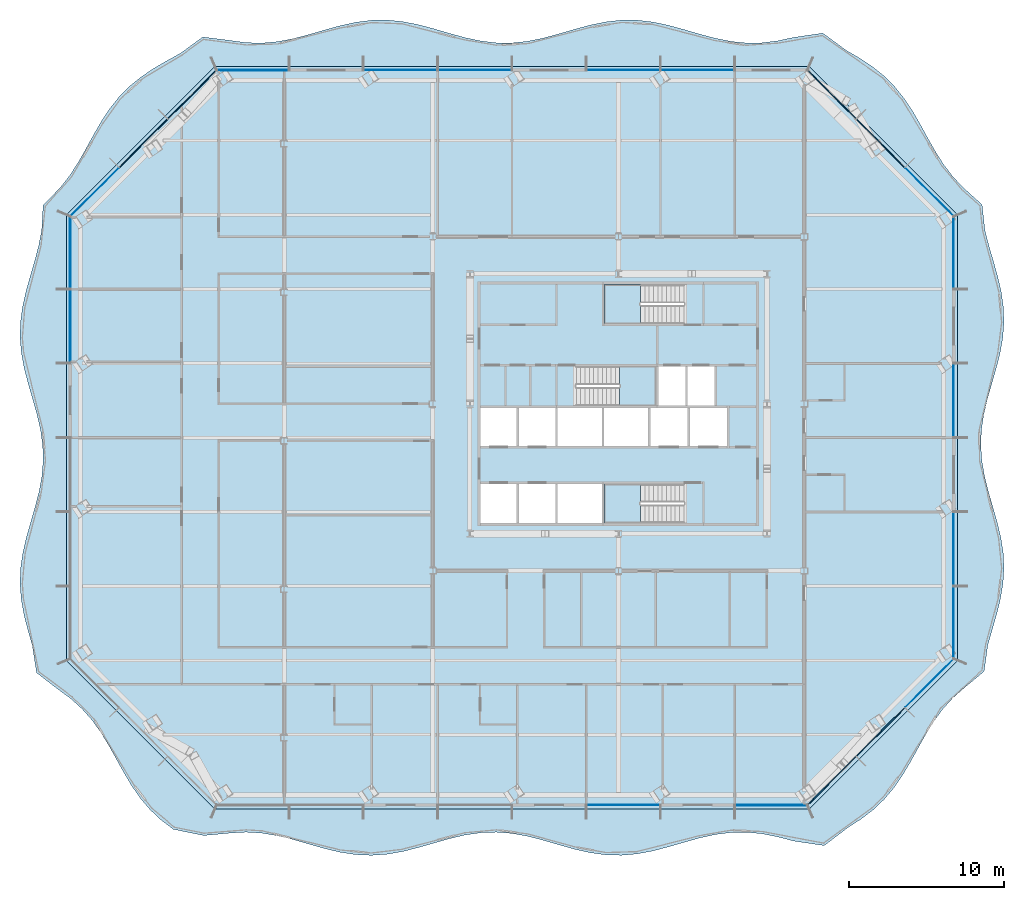
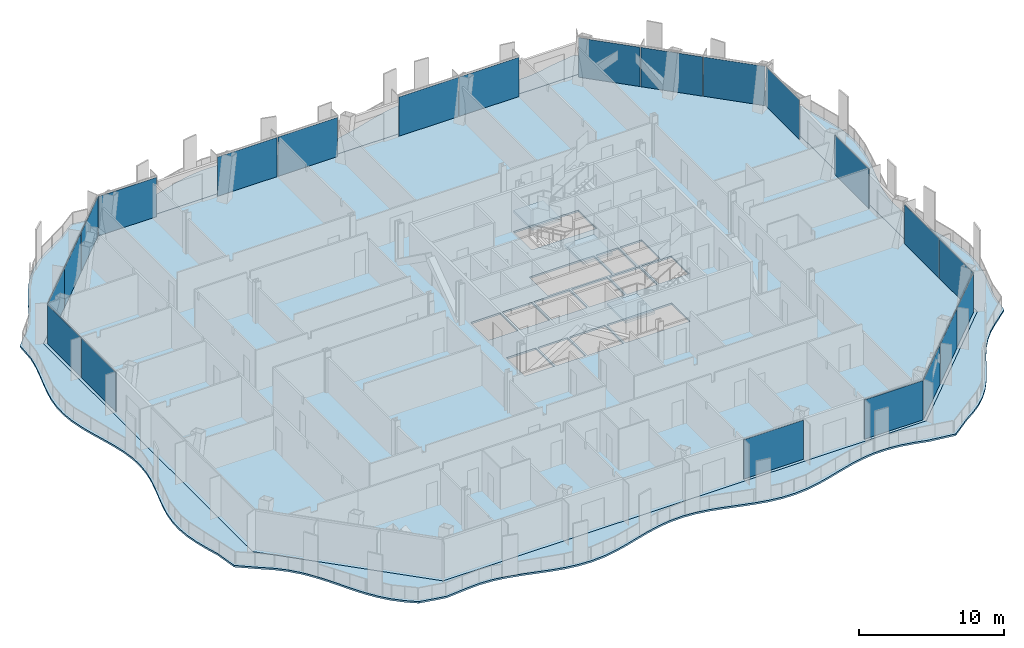
# One storey, part 5 of 19: 22 plates, 5 slabs, 10 elements without a shape of their own.
"""IFC4 building model written with IfcOpenShell, lengths in metres."""

from ifc_helpers import new_model, si_unit, direction, frame, origin, origin_2d, place, context, subcontext, project, spatial, polyline, rectangle, outline, extrude, material, layer, layer_set, type_object, element, aggregate, save


model = new_model("IFC4")

# Units and contexts
model_context = context("Model", 3, precision=1e-05, world=origin(), true_north=direction((0.0, 1.0)))
body_context = subcontext(model_context, "Body", "Model", "MODEL_VIEW")
ifc_project = project(units=[si_unit("LENGTHUNIT", "METRE"), si_unit("AREAUNIT", "SQUARE_METRE"), si_unit("VOLUMEUNIT", "CUBIC_METRE"), si_unit("PLANEANGLEUNIT", "RADIAN"), si_unit("MASSUNIT", "GRAM", prefix="KILO")], contexts=[model_context])

# Site, building, storey
site_placement = place(None, origin())
site = spatial("IfcSite", under=ifc_project, at=site_placement, CompositionType="ELEMENT")
building_placement = place(site_placement, origin())
building = spatial("IfcBuilding", under=site, at=building_placement, Name="Cairn Pilgrim Tower", CompositionType="ELEMENT")
storey_placement = place(building_placement, frame((0.0, 0.0, 90.60009765625)))
storey = spatial("IfcBuildingStorey", under=building, at=storey_placement, Name="L21", CompositionType="ELEMENT", Elevation=90.60009765625)

# Slabs
ifc_material_1 = material(Name="Concrete C35/45", Category="concrete")
ifc_layer_1 = layer(ifc_material_1, 0.14990234375)
ifc_layer_set_1 = layer_set([ifc_layer_1], Name="BALCONY SLAB 150 CONCRETE C35/45")
slab_type_1 = type_object("IfcSlabType", Name="BALCONY SLAB 150 CONCRETE C35/45", PredefinedType="FLOOR", material=ifc_layer_set_1)
slab_1_placement = place(storey_placement, frame((0.0, 0.0, -0.150146484375)))
element("IfcSlab", 1, at=slab_1_placement, inside=storey, type_object=slab_type_1, Name="Balcony slab BS-1", PredefinedType="FLOOR", context=body_context, shape_type="SweptSolid", body=[
    extrude(outline(polyline([(-21.568115234375, -25.103515625), (-19.591796875, -25.506103515625), (-17.868896484375, -25.34228515625), (-16.8583984375, -25.286376953125), (-15.847900390625, -25.346923828125), (-14.83740234375, -25.514892578125), (-13.826904296875, -25.763671875), (-12.81640625, -26.054931640625), (-11.805908203125, -26.34326171875), (-10.79541015625, -26.583984375), (-9.78466796875, -26.739501953125), (-8.774169921875, -26.78564453125), (-7.763671875, -26.715576171875), (-6.753173828125, -26.539794921875), (-5.74267578125, -26.28564453125), (-4.732177734375, -25.992919921875), (-3.7216796875, -25.70703125), (-2.711181640625, -25.47216796875), (-1.70068359375, -25.324951171875), (-0.68994140625, -25.288330078125), (0.320556640625, -25.3681640625), (1.3310546875, -25.551513671875), (2.341552734375, -25.810546875), (3.35205078125, -26.1044921875), (4.362548828125, -26.387939453125), (5.373046875, -26.61669921875), (6.383544921875, -26.755126953125), (7.394287109375, -26.781982421875), (8.40478515625, -26.69287109375), (9.415283203125, -26.501953125), (10.42578125, -26.238525390625), (11.436279296875, -25.943603515625), (12.44677734375, -25.6630859375), (13.457275390625, -25.440673828125), (14.4677734375, -25.310791015625), (15.478271484375, -25.293701171875), (16.489013671875, -25.39208984375), (17.49951171875, -25.590576171875), (18.510009765625, -25.858154296875), (20.5009765625, -26.153564453125), (22.06884765625, -24.96337890625), (22.904541015625, -24.427490234375), (23.679443359375, -23.8310546875), (24.381591796875, -23.16162109375), (25.0078125, -22.41650390625), (25.567138671875, -21.6044921875), (26.07763671875, -20.74365234375), (26.564208984375, -19.858642578125), (27.0556640625, -18.978759765625), (27.57958984375, -18.131103515625), (28.1591796875, -17.33935546875), (28.809814453125, -16.618408203125), (29.536376953125, -15.9736328125), (30.835205078125, -14.896728515625), (31.0751953125, -13.193115234375), (31.359375, -12.2001953125), (31.6455078125, -11.20703125), (31.89013671875, -10.2138671875), (32.056640625, -9.220703125), (32.120361328125, -8.227783203125), (32.0712890625, -7.234619140625), (31.9169921875, -6.241455078125), (31.6806640625, -5.248291015625), (31.397705078125, -4.25537109375), (31.11083984375, -3.26220703125), (30.86279296875, -2.26904296875), (30.69091796875, -1.27587890625), (30.621337890625, -0.282958984375), (30.6640625, 0.710205078125), (30.81298828125, 1.703369140625), (31.045654296875, 2.696533203125), (31.326904296875, 3.689453125), (31.614990234375, 4.6826171875), (31.8662109375, 5.67578125), (32.04296875, 6.6689453125), (32.11865234375, 7.661865234375), (32.08203125, 8.655029296875), (31.938720703125, 9.648193359375), (31.7099609375, 10.641357421875), (31.43017578125, 11.63427734375), (31.141357421875, 12.62744140625), (30.88720703125, 13.62060546875), (30.705322265625, 15.270263671875), (29.498046875, 16.362548828125), (28.83056640625, 17.066650390625), (28.236083984375, 17.843505859375), (27.701416015625, 18.680419921875), (27.205078125, 19.555419921875), (26.719970703125, 20.441650390625), (26.21728515625, 21.310302734375), (25.670654296875, 22.13525390625), (25.060302734375, 22.896484375), (24.37548828125, 23.5830078125), (23.615966796875, 24.19482421875), (22.79248046875, 24.74267578125), (21.92431640625, 25.24609375), (20.40966796875, 26.360107421875), (18.510009765625, 26.0810546875), (17.49951171875, 25.861328125), (16.489013671875, 25.7353515625), (15.478271484375, 25.72265625), (14.4677734375, 25.824951171875), (13.457275390625, 26.026611328125), (12.44677734375, 26.296142578125), (11.436279296875, 26.591796875), (10.42578125, 26.867431640625), (9.415283203125, 27.080322265625), (8.40478515625, 27.197509765625), (7.394287109375, 27.200439453125), (6.383544921875, 27.0888671875), (5.373046875, 26.88037109375), (4.362548828125, 26.60693359375), (3.35205078125, 26.311279296875), (2.341552734375, 26.039306640625), (1.3310546875, 25.833251953125), (0.320556640625, 25.72509765625), (-0.68994140625, 25.73193359375), (-1.70068359375, 25.8525390625), (-2.711181640625, 26.06787109375), (-3.7216796875, 26.344970703125), (-4.732177734375, 26.640380859375), (-5.74267578125, 26.908203125), (-6.753173828125, 27.107177734375), (-7.763671875, 27.2060546875), (-8.774169921875, 27.189453125), (-9.78466796875, 27.060302734375), (-10.79541015625, 26.838134765625), (-11.805908203125, 26.557861328125), (-12.81640625, 26.262939453125), (-13.826904296875, 25.999267578125), (-14.83740234375, 25.807861328125), (-15.847900390625, 25.71826171875), (-16.8583984375, 25.744384765625), (-17.868896484375, 25.882568359375), (-19.665283203125, 26.11083984375), (-21.0986328125, 25.061279296875), (-21.984375, 24.57568359375), (-22.849853515625, 24.069580078125), (-23.6689453125, 23.517333984375), (-24.4228515625, 22.89990234375), (-25.101806640625, 22.20751953125), (-25.70654296875, 21.440673828125), (-26.2490234375, 20.611572265625), (-26.749267578125, 19.74072265625), (-27.234375, 18.854248046875), (-27.732666015625, 17.981201171875), (-28.271240234375, 17.148193359375), (-28.87109375, 16.376708984375), (-29.98583984375, 15.237548828125), (-30.078369140625, 13.62060546875), (-30.268798828125, 12.62744140625), (-30.5283203125, 11.63427734375), (-30.818115234375, 10.641357421875), (-31.0947265625, 9.648193359375), (-31.31640625, 8.655029296875), (-31.44970703125, 7.661865234375), (-31.47509765625, 6.6689453125), (-31.388427734375, 5.67578125), (-31.202880859375, 4.6826171875), (-30.9462890625, 3.689453125), (-30.656982421875, 2.696533203125), (-30.378662109375, 1.703369140625), (-30.153076171875, 0.710205078125), (-30.013916015625, -0.282958984375), (-29.982177734375, -1.27587890625), (-30.06298828125, -2.26904296875), (-30.24365234375, -3.26220703125), (-30.497314453125, -4.25537109375), (-30.785888671875, -5.248291015625), (-31.06591796875, -6.241455078125), (-31.29541015625, -7.234619140625), (-31.440185546875, -8.227783203125), (-31.47802734375, -9.220703125), (-31.4033203125, -10.2138671875), (-31.227783203125, -11.20703125), (-30.97705078125, -12.2001953125), (-30.689453125, -13.193115234375), (-30.40771484375, -14.985107421875), (-28.995361328125, -16.07373046875), (-28.203857421875, -16.653564453125), (-27.483154296875, -17.30419921875), (-26.83837890625, -18.031005859375), (-26.263671875, -18.82763671875), (-25.7431640625, -19.6787109375), (-25.25341796875, -20.56005859375), (-24.765869140625, -21.444091796875), (-24.25244140625, -22.30224609375), (-23.6884765625, -23.109619140625), (-23.056396484375, -23.848876953125), (-22.348388671875, -24.512451171875), (-21.568115234375, -25.103515625)]), holes=[polyline([(19.5205078125, -23.786376953125), (-18.87939453125, -23.786376953125), (-28.4794921875, -14.186279296875), (-28.4794921875, 14.61376953125), (-18.87939453125, 24.213623046875), (19.5205078125, 24.213623046875), (29.12060546875, 14.61376953125), (29.12060546875, -14.186279296875), (19.5205078125, -23.786376953125)])]), origin(), (0.0, 0.0, 1.0), 0.150146484375),
])
ifc_layer_2 = layer(ifc_material_1, 0.14990234375)
ifc_layer_set_2 = layer_set([ifc_layer_2], Name="COMPOSITE FLOOR SLAB 150")
slab_type_2 = type_object("IfcSlabType", Name="COMPOSITE FLOOR SLAB 150", PredefinedType="FLOOR", material=ifc_layer_set_2)
slab_2_placement = place(storey_placement, frame((0.0, 0.0, -0.150146484375)))
element("IfcSlab", 2, at=slab_2_placement, inside=storey, type_object=slab_type_2, Name="FLOOR SLAB L21", PredefinedType="FLOOR", context=body_context, shape_type="SweptSolid", body=[
    extrude(outline(polyline([(-18.87939453125, -23.786376953125), (19.5205078125, -23.786376953125), (29.12060546875, -14.186279296875), (29.12060546875, 14.61376953125), (19.5205078125, 24.213623046875), (-18.87939453125, 24.213623046875), (-28.4794921875, 14.61376953125), (-28.4794921875, -14.186279296875), (-18.87939453125, -23.786376953125)]), holes=[polyline([(-1.72509765625, -5.300048828125), (0.625, -5.300048828125), (0.625, -2.77490234375), (-1.72509765625, -2.77490234375), (-1.72509765625, -5.300048828125)]), polyline([(0.77490234375, -5.300048828125), (3.125, -5.300048828125), (3.125, -2.77490234375), (0.77490234375, -2.77490234375), (0.77490234375, -5.300048828125)]), polyline([(-1.72509765625, -0.324951171875), (0.625, -0.324951171875), (0.625, 2.125), (-1.72509765625, 2.125), (-1.72509765625, -0.324951171875)]), polyline([(0.77490234375, -0.324951171875), (3.125, -0.324951171875), (3.125, 2.125), (0.77490234375, 2.125), (0.77490234375, -0.324951171875)]), polyline([(3.27490234375, -5.300048828125), (6.125, -5.300048828125), (6.125, -2.77490234375), (3.27490234375, -2.77490234375), (3.27490234375, -5.300048828125)]), polyline([(3.27490234375, -0.324951171875), (6.125, -0.324951171875), (6.125, 2.125), (3.27490234375, 2.125), (3.27490234375, -0.324951171875)]), polyline([(6.27490234375, -0.324951171875), (9.125, -0.324951171875), (9.125, 2.125), (6.27490234375, 2.125), (6.27490234375, -0.324951171875)]), polyline([(9.27490234375, -0.324951171875), (11.675048828125, -0.324951171875), (11.675048828125, 2.125), (9.27490234375, 2.125), (9.27490234375, -0.324951171875)]), polyline([(11.824951171875, -0.324951171875), (14.22509765625, -0.324951171875), (14.22509765625, 2.125), (11.824951171875, 2.125), (11.824951171875, -0.324951171875)]), polyline([(9.77490234375, 2.27490234375), (11.52490234375, 2.27490234375), (11.52490234375, 4.824951171875), (9.77490234375, 4.824951171875), (9.77490234375, 2.27490234375)]), polyline([(11.675048828125, 2.27490234375), (13.425048828125, 2.27490234375), (13.425048828125, 4.824951171875), (11.675048828125, 4.824951171875), (11.675048828125, 2.27490234375)]), polyline([(11.424560546875, -2.77490234375), (6.27490234375, -2.77490234375), (6.27490234375, -5.300048828125), (11.424560546875, -5.300048828125), (11.424560546875, -2.77490234375)]), polyline([(4.4755859375, 2.27490234375), (9.625, 2.27490234375), (9.625, 4.824951171875), (4.4755859375, 4.824951171875), (4.4755859375, 2.27490234375)]), polyline([(11.424560546875, 10.10009765625), (6.27490234375, 10.10009765625), (6.27490234375, 7.574951171875), (11.424560546875, 7.574951171875), (11.424560546875, 10.10009765625)])]), origin(), (0.0, 0.0, 1.0), 0.150146484375),
])

# Curtain wall, plate
ifc_material_2 = material(Name="Aluminium alloy 6063-T6 bronze anodised with Bronze tinted laminated low-E glass 8+16+8.8", Category="aluminium")
curtain_wall_type_1 = type_object("IfcCurtainWallType", Name="CHAMFER CORNER CURTAIN WALL", PredefinedType="NOTDEFINED", material=ifc_material_2)
curtain_wall_1_placement = place(storey_placement, origin())
curtain_wall_1 = element("IfcCurtainWall", 3, at=curtain_wall_1_placement, inside=storey, type_object=curtain_wall_type_1, Name="Chamfer Corner Curtain Wall SE", PredefinedType="NOTDEFINED")
ifc_material_3 = material(Name="Bronze anodised aluminium spandrel panel with mineral wool insulation", Category="aluminium")
ifc_layer_3 = layer(ifc_material_3, 0.06005859375)
ifc_layer_set_3 = layer_set([ifc_layer_3], Name="SPANDREL PANEL 4386x3300")
plate_type_1 = type_object("IfcPlateType", Name="SPANDREL PANEL 4386x3300", PredefinedType="CURTAIN_PANEL", material=ifc_layer_set_3)
plate_1_placement = place(storey_placement, frame((20.99609375, -21.957275390625, 0.0), z_axis=(0.0, 0.0, 1.0), x_axis=(0.707106781187, 0.707106781187, 0.0)))
plate_1 = element("IfcPlate", 4, at=plate_1_placement, type_object=plate_type_1, Name="Spandrel Panel SE1-1", PredefinedType="CURTAIN_PANEL", context=body_context, shape_type="SweptSolid", body=[
    extrude(rectangle(XDim=4.386474609375, YDim=0.06005859375, at=origin_2d()), origin(), (0.0, 0.0, 1.0), 3.300048828125),
])

curtain_wall_2_placement = place(storey_placement, origin())
curtain_wall_2 = element("IfcCurtainWall", 5, at=curtain_wall_2_placement, inside=storey, type_object=curtain_wall_type_1, Name="Chamfer Corner Curtain Wall NE", PredefinedType="NOTDEFINED")
plate_2_placement = place(storey_placement, frame((20.99609375, 22.384521484375, 0.0), z_axis=(0.0, 0.0, 1.0), x_axis=(-0.707106781187, 0.707106781187, 0.0)))
plate_2 = element("IfcPlate", 6, at=plate_2_placement, type_object=plate_type_1, Name="Spandrel Panel NE3-1", PredefinedType="CURTAIN_PANEL", context=body_context, shape_type="SweptSolid", body=[
    extrude(rectangle(XDim=4.386474609375, YDim=0.06005859375, at=origin_2d()), origin(), (0.0, 0.0, 1.0), 3.300048828125),
])

curtain_wall_3_placement = place(storey_placement, origin())
curtain_wall_3 = element("IfcCurtainWall", 7, at=curtain_wall_3_placement, inside=storey, type_object=curtain_wall_type_1, Name="Chamfer Corner Curtain Wall NW", PredefinedType="NOTDEFINED")
plate_3_placement = place(storey_placement, frame((-20.35498046875, 22.384521484375, 0.0), z_axis=(0.0, 0.0, 1.0), x_axis=(-0.707106781187, -0.707106781187, 0.0)))
plate_3 = element("IfcPlate", 8, at=plate_3_placement, type_object=plate_type_1, Name="Spandrel Panel NW1-1", PredefinedType="CURTAIN_PANEL", context=body_context, shape_type="SweptSolid", body=[
    extrude(rectangle(XDim=4.386474609375, YDim=0.06005859375, at=origin_2d()), origin(), (0.0, 0.0, 1.0), 3.300048828125),
])

# Plate
ifc_layer_4 = layer(ifc_material_3, 0.06005859375)
ifc_layer_set_4 = layer_set([ifc_layer_4], Name="SPANDREL PANEL 4396x3300")
plate_type_2 = type_object("IfcPlateType", Name="SPANDREL PANEL 4396x3300", PredefinedType="CURTAIN_PANEL", material=ifc_layer_set_4)
plate_4_placement = place(storey_placement, frame((24.143798828125, -18.8095703125, 0.0), z_axis=(0.0, 0.0, 1.0), x_axis=(0.707106781187, 0.707106781187, 0.0)))
plate_4 = element("IfcPlate", 9, at=plate_4_placement, type_object=plate_type_2, Name="Spandrel Panel SE2-1", PredefinedType="CURTAIN_PANEL", context=body_context, shape_type="SweptSolid", body=[
    extrude(rectangle(XDim=4.396484375, YDim=0.06005859375, at=origin_2d()), origin(), (0.0, 0.0, 1.0), 3.300048828125),
])

plate_5_placement = place(storey_placement, frame((24.143798828125, 19.23681640625, 0.0), z_axis=(0.0, 0.0, 1.0), x_axis=(-0.707106781187, 0.707106781187, 0.0)))
plate_5 = element("IfcPlate", 10, at=plate_5_placement, type_object=plate_type_2, Name="Spandrel Panel NE2-1", PredefinedType="CURTAIN_PANEL", context=body_context, shape_type="SweptSolid", body=[
    extrude(rectangle(XDim=4.396484375, YDim=0.06005859375, at=origin_2d()), origin(), (0.0, 0.0, 1.0), 3.300048828125),
])

plate_6_placement = place(storey_placement, frame((-23.502685546875, 19.23681640625, 0.0), z_axis=(0.0, 0.0, 1.0), x_axis=(-0.707106781187, -0.707106781187, 0.0)))
plate_6 = element("IfcPlate", 11, at=plate_6_placement, type_object=plate_type_2, Name="Spandrel Panel NW2-1", PredefinedType="CURTAIN_PANEL", context=body_context, shape_type="SweptSolid", body=[
    extrude(rectangle(XDim=4.396484375, YDim=0.06005859375, at=origin_2d()), origin(), (0.0, 0.0, 1.0), 3.300048828125),
])

# Curtain wall, plate
curtain_wall_type_2 = type_object("IfcCurtainWallType", Name="TOWER STICK CURTAIN WALL NS", PredefinedType="NOTDEFINED", material=ifc_material_2)
curtain_wall_4_placement = place(storey_placement, origin())
curtain_wall_4 = element("IfcCurtainWall", 12, at=curtain_wall_4_placement, inside=storey, type_object=curtain_wall_type_2, Name="Tower Stick Curtain Wall Ns S", PredefinedType="NOTDEFINED")
ifc_layer_5 = layer(ifc_material_3, 0.06005859375)
ifc_layer_set_5 = layer_set([ifc_layer_5], Name="SPANDREL PANEL 4626x3300")
plate_type_3 = type_object("IfcPlateType", Name="SPANDREL PANEL 4626x3300", PredefinedType="CURTAIN_PANEL", material=ifc_layer_set_5)
plate_7_placement = place(storey_placement, frame((17.063720703125, -23.536376953125, 0.0), z_axis=(0.0, 0.0, 1.0), x_axis=(1.0, 0.0, 0.0)))
plate_7 = element("IfcPlate", 13, at=plate_7_placement, type_object=plate_type_3, Name="Spandrel Panel S8-1", PredefinedType="CURTAIN_PANEL", context=body_context, shape_type="SweptSolid", body=[
    extrude(rectangle(XDim=4.62646484375, YDim=0.06005859375, at=origin_2d()), origin(), (0.0, 0.0, 1.0), 3.300048828125),
])

curtain_wall_5_placement = place(storey_placement, origin())
curtain_wall_5 = element("IfcCurtainWall", 14, at=curtain_wall_5_placement, inside=storey, type_object=curtain_wall_type_2, Name="Tower Stick Curtain Wall Ns N", PredefinedType="NOTDEFINED")
plate_8_placement = place(storey_placement, frame((-16.4228515625, 23.963623046875, 0.0), z_axis=(0.0, 0.0, 1.0), x_axis=(-1.0, 0.0, 0.0)))
plate_8 = element("IfcPlate", 15, at=plate_8_placement, type_object=plate_type_3, Name="Spandrel Panel N8-1", PredefinedType="CURTAIN_PANEL", context=body_context, shape_type="SweptSolid", body=[
    extrude(rectangle(XDim=4.62646484375, YDim=0.06005859375, at=origin_2d()), origin(), (0.0, 0.0, 1.0), 3.300048828125),
])

# Stair, slab
ifc_material_4 = material(Name="Concrete C32/40", Category="concrete")
stair_type = type_object("IfcStairType", Name="EXIT STAIR 1200", PredefinedType="HALF_TURN_STAIR", material=ifc_material_4)
stair_1_placement = place(storey_placement, origin())
stair_1 = element("IfcStair", 16, at=stair_1_placement, inside=storey, type_object=stair_type, Name="L21 Exit Stair A", PredefinedType="HALF_TURN_STAIR")
ifc_layer_6 = layer(ifc_material_4, 0.199951171875)
ifc_layer_set_6 = layer_set([ifc_layer_6], Name="STAIR LANDING 200")
slab_type_3 = type_object("IfcSlabType", Name="STAIR LANDING 200", PredefinedType="LANDING", material=ifc_layer_set_6)
slab_3_placement = place(storey_placement, frame((0.0, 0.0, 1.599853515625)))
slab_3 = element("IfcSlab", 17, at=slab_3_placement, type_object=slab_type_3, Name="ST-A landing 1", PredefinedType="LANDING", context=body_context, shape_type="SweptSolid", body=[
    extrude(outline(polyline([(8.625, -2.77490234375), (6.27490234375, -2.77490234375), (6.27490234375, -5.300048828125), (8.625, -5.300048828125), (8.625, -2.77490234375)])), origin(), (0.0, 0.0, 1.0), 0.199951171875),
])
aggregate(stair_1, [slab_3])

stair_2_placement = place(storey_placement, origin())
stair_2 = element("IfcStair", 18, at=stair_2_placement, inside=storey, type_object=stair_type, Name="L21 Exit Stair B", PredefinedType="HALF_TURN_STAIR")
slab_4_placement = place(storey_placement, frame((0.0, 0.0, 1.599853515625)))
slab_4 = element("IfcSlab", 19, at=slab_4_placement, type_object=slab_type_3, Name="ST-B landing 1", PredefinedType="LANDING", context=body_context, shape_type="SweptSolid", body=[
    extrude(outline(polyline([(7.27490234375, 2.27490234375), (9.625, 2.27490234375), (9.625, 4.824951171875), (7.27490234375, 4.824951171875), (7.27490234375, 2.27490234375)])), origin(), (0.0, 0.0, 1.0), 0.199951171875),
])
aggregate(stair_2, [slab_4])

stair_3_placement = place(storey_placement, origin())
stair_3 = element("IfcStair", 20, at=stair_3_placement, inside=storey, type_object=stair_type, Name="L21 Exit Stair C", PredefinedType="HALF_TURN_STAIR")
slab_5_placement = place(storey_placement, frame((0.0, 0.0, 1.599853515625)))
slab_5 = element("IfcSlab", 21, at=slab_5_placement, type_object=slab_type_3, Name="ST-C landing 1", PredefinedType="LANDING", context=body_context, shape_type="SweptSolid", body=[
    extrude(outline(polyline([(8.625, 10.10009765625), (6.27490234375, 10.10009765625), (6.27490234375, 7.574951171875), (8.625, 7.574951171875), (8.625, 10.10009765625)])), origin(), (0.0, 0.0, 1.0), 0.199951171875),
])
aggregate(stair_3, [slab_5])

# Plate
ifc_material_5 = material(Name="Bronze tinted laminated low-E glass 8+16+8.8", Category="glass")
ifc_layer_7 = layer(ifc_material_5, 0.033935546875)
ifc_layer_set_7 = layer_set([ifc_layer_7], Name="VISION GLAZING 4386x3300")
plate_type_4 = type_object("IfcPlateType", Name="VISION GLAZING 4386x3300", PredefinedType="CURTAIN_PANEL", material=ifc_layer_set_7)
plate_9_placement = place(storey_placement, frame((27.291259765625, -15.661865234375, 0.0), z_axis=(0.0, 0.0, 1.0), x_axis=(0.707106781187, 0.707106781187, 0.0)))
plate_9 = element("IfcPlate", 22, at=plate_9_placement, type_object=plate_type_4, Name="Vision Glazing SE3-1", PredefinedType="CURTAIN_PANEL", context=body_context, shape_type="SweptSolid", body=[
    extrude(rectangle(XDim=4.386474609375, YDim=0.033935546875, at=origin_2d()), origin(), (0.0, 0.0, 1.0), 3.300048828125),
])

aggregate(curtain_wall_1, [plate_1, plate_4, plate_9])

plate_10_placement = place(storey_placement, frame((27.291259765625, 16.08935546875, 0.0), z_axis=(0.0, 0.0, 1.0), x_axis=(-0.707106781187, 0.707106781187, 0.0)))
plate_10 = element("IfcPlate", 23, at=plate_10_placement, type_object=plate_type_4, Name="Vision Glazing NE1-1", PredefinedType="CURTAIN_PANEL", context=body_context, shape_type="SweptSolid", body=[
    extrude(rectangle(XDim=4.386474609375, YDim=0.033935546875, at=origin_2d()), origin(), (0.0, 0.0, 1.0), 3.300048828125),
])

aggregate(curtain_wall_2, [plate_10, plate_5, plate_2])

plate_11_placement = place(storey_placement, frame((-26.650390625, 16.08935546875, 0.0), z_axis=(0.0, 0.0, 1.0), x_axis=(-0.707106781187, -0.707106781187, 0.0)))
plate_11 = element("IfcPlate", 24, at=plate_11_placement, type_object=plate_type_4, Name="Vision Glazing NW3-1", PredefinedType="CURTAIN_PANEL", context=body_context, shape_type="SweptSolid", body=[
    extrude(rectangle(XDim=4.386474609375, YDim=0.033935546875, at=origin_2d()), origin(), (0.0, 0.0, 1.0), 3.300048828125),
])

aggregate(curtain_wall_3, [plate_3, plate_6, plate_11])

# Curtain wall, plates
curtain_wall_type_3 = type_object("IfcCurtainWallType", Name="TOWER STICK CURTAIN WALL EW", PredefinedType="NOTDEFINED", material=ifc_material_2)
curtain_wall_6_placement = place(storey_placement, origin())
curtain_wall_6 = element("IfcCurtainWall", 25, at=curtain_wall_6_placement, inside=storey, type_object=curtain_wall_type_3, Name="Tower Stick Curtain Wall Ew E", PredefinedType="NOTDEFINED")
ifc_layer_8 = layer(ifc_material_5, 0.033935546875)
ifc_layer_set_8 = layer_set([ifc_layer_8], Name="VISION GLAZING 4626x3300")
plate_type_5 = type_object("IfcPlateType", Name="VISION GLAZING 4626x3300", PredefinedType="CURTAIN_PANEL", material=ifc_layer_set_8)
plate_12_placement = place(storey_placement, frame((28.87060546875, -11.7294921875, 0.0), z_axis=(0.0, 0.0, 1.0), x_axis=(0.0, 1.0, 0.0)))
plate_12 = element("IfcPlate", 26, at=plate_12_placement, type_object=plate_type_5, Name="Vision Glazing E1-1", PredefinedType="CURTAIN_PANEL", context=body_context, shape_type="SweptSolid", body=[
    extrude(rectangle(XDim=4.62646484375, YDim=0.033935546875, at=origin_2d()), origin(), (0.0, 0.0, 1.0), 3.300048828125),
])
plate_13_placement = place(storey_placement, frame((28.87060546875, 12.156982421875, 0.0), z_axis=(0.0, 0.0, 1.0), x_axis=(0.0, 1.0, 0.0)))
plate_13 = element("IfcPlate", 27, at=plate_13_placement, type_object=plate_type_5, Name="Vision Glazing E6-1", PredefinedType="CURTAIN_PANEL", context=body_context, shape_type="SweptSolid", body=[
    extrude(rectangle(XDim=4.62646484375, YDim=0.033935546875, at=origin_2d()), origin(), (0.0, 0.0, 1.0), 3.300048828125),
])

# Curtain wall, plate
curtain_wall_7_placement = place(storey_placement, origin())
curtain_wall_7 = element("IfcCurtainWall", 28, at=curtain_wall_7_placement, inside=storey, type_object=curtain_wall_type_3, Name="Tower Stick Curtain Wall Ew W", PredefinedType="NOTDEFINED")
plate_14_placement = place(storey_placement, frame((-28.2294921875, 12.156982421875, 0.0), z_axis=(0.0, 0.0, 1.0), x_axis=(0.0, -1.0, 0.0)))
plate_14 = element("IfcPlate", 29, at=plate_14_placement, type_object=plate_type_5, Name="Vision Glazing W1-1", PredefinedType="CURTAIN_PANEL", context=body_context, shape_type="SweptSolid", body=[
    extrude(rectangle(XDim=4.62646484375, YDim=0.033935546875, at=origin_2d()), origin(), (0.0, 0.0, 1.0), 3.300048828125),
])

# Plate
ifc_layer_9 = layer(ifc_material_5, 0.033935546875)
ifc_layer_set_9 = layer_set([ifc_layer_9], Name="VISION GLAZING 4740x3300")
plate_type_6 = type_object("IfcPlateType", Name="VISION GLAZING 4740x3300", PredefinedType="CURTAIN_PANEL", material=ifc_layer_set_9)
plate_15_placement = place(storey_placement, frame((7.5205078125, -23.536376953125, 0.0), z_axis=(0.0, 0.0, 1.0), x_axis=(1.0, 0.0, 0.0)))
plate_15 = element("IfcPlate", 30, at=plate_15_placement, type_object=plate_type_6, Name="Vision Glazing S6-1", PredefinedType="CURTAIN_PANEL", context=body_context, shape_type="SweptSolid", body=[
    extrude(rectangle(XDim=4.739990234375, YDim=0.033935546875, at=origin_2d()), origin(), (0.0, 0.0, 1.0), 3.300048828125),
])

aggregate(curtain_wall_4, [plate_15, plate_7])

plate_16_placement = place(storey_placement, frame((28.87060546875, -6.986328125, 0.0), z_axis=(0.0, 0.0, 1.0), x_axis=(0.0, 1.0, 0.0)))
plate_16 = element("IfcPlate", 31, at=plate_16_placement, type_object=plate_type_6, Name="Vision Glazing E2-1", PredefinedType="CURTAIN_PANEL", context=body_context, shape_type="SweptSolid", body=[
    extrude(rectangle(XDim=4.739990234375, YDim=0.033935546875, at=origin_2d()), origin(), (0.0, 0.0, 1.0), 3.300048828125),
])

plate_17_placement = place(storey_placement, frame((28.87060546875, 2.61376953125, 0.0), z_axis=(0.0, 0.0, 1.0), x_axis=(0.0, 1.0, 0.0)))
plate_17 = element("IfcPlate", 32, at=plate_17_placement, type_object=plate_type_6, Name="Vision Glazing E4-1", PredefinedType="CURTAIN_PANEL", context=body_context, shape_type="SweptSolid", body=[
    extrude(rectangle(XDim=4.739990234375, YDim=0.033935546875, at=origin_2d()), origin(), (0.0, 0.0, 1.0), 3.300048828125),
])

aggregate(curtain_wall_6, [plate_12, plate_16, plate_17, plate_13])

plate_18_placement = place(storey_placement, frame((12.320556640625, 23.963623046875, 0.0), z_axis=(0.0, 0.0, 1.0), x_axis=(-1.0, 0.0, 0.0)))
plate_18 = element("IfcPlate", 33, at=plate_18_placement, type_object=plate_type_6, Name="Vision Glazing N2-1", PredefinedType="CURTAIN_PANEL", context=body_context, shape_type="SweptSolid", body=[
    extrude(rectangle(XDim=4.739990234375, YDim=0.033935546875, at=origin_2d()), origin(), (0.0, 0.0, 1.0), 3.300048828125),
])

plate_19_placement = place(storey_placement, frame((7.5205078125, 23.963623046875, 0.0), z_axis=(0.0, 0.0, 1.0), x_axis=(-1.0, 0.0, 0.0)))
plate_19 = element("IfcPlate", 34, at=plate_19_placement, type_object=plate_type_6, Name="Vision Glazing N3-1", PredefinedType="CURTAIN_PANEL", context=body_context, shape_type="SweptSolid", body=[
    extrude(rectangle(XDim=4.739990234375, YDim=0.033935546875, at=origin_2d()), origin(), (0.0, 0.0, 1.0), 3.300048828125),
])

plate_20_placement = place(storey_placement, frame((-2.07958984375, 23.963623046875, 0.0), z_axis=(0.0, 0.0, 1.0), x_axis=(-1.0, 0.0, 0.0)))
plate_20 = element("IfcPlate", 35, at=plate_20_placement, type_object=plate_type_6, Name="Vision Glazing N5-1", PredefinedType="CURTAIN_PANEL", context=body_context, shape_type="SweptSolid", body=[
    extrude(rectangle(XDim=4.739990234375, YDim=0.033935546875, at=origin_2d()), origin(), (0.0, 0.0, 1.0), 3.300048828125),
])

plate_21_placement = place(storey_placement, frame((-6.87939453125, 23.963623046875, 0.0), z_axis=(0.0, 0.0, 1.0), x_axis=(-1.0, 0.0, 0.0)))
plate_21 = element("IfcPlate", 36, at=plate_21_placement, type_object=plate_type_6, Name="Vision Glazing N6-1", PredefinedType="CURTAIN_PANEL", context=body_context, shape_type="SweptSolid", body=[
    extrude(rectangle(XDim=4.739990234375, YDim=0.033935546875, at=origin_2d()), origin(), (0.0, 0.0, 1.0), 3.300048828125),
])

aggregate(curtain_wall_5, [plate_18, plate_19, plate_20, plate_21, plate_8])

plate_22_placement = place(storey_placement, frame((-28.2294921875, 7.41357421875, 0.0), z_axis=(0.0, 0.0, 1.0), x_axis=(0.0, -1.0, 0.0)))
plate_22 = element("IfcPlate", 37, at=plate_22_placement, type_object=plate_type_6, Name="Vision Glazing W2-1", PredefinedType="CURTAIN_PANEL", context=body_context, shape_type="SweptSolid", body=[
    extrude(rectangle(XDim=4.739990234375, YDim=0.033935546875, at=origin_2d()), origin(), (0.0, 0.0, 1.0), 3.300048828125),
])

aggregate(curtain_wall_7, [plate_14, plate_22])

save(model, "model.ifc")
